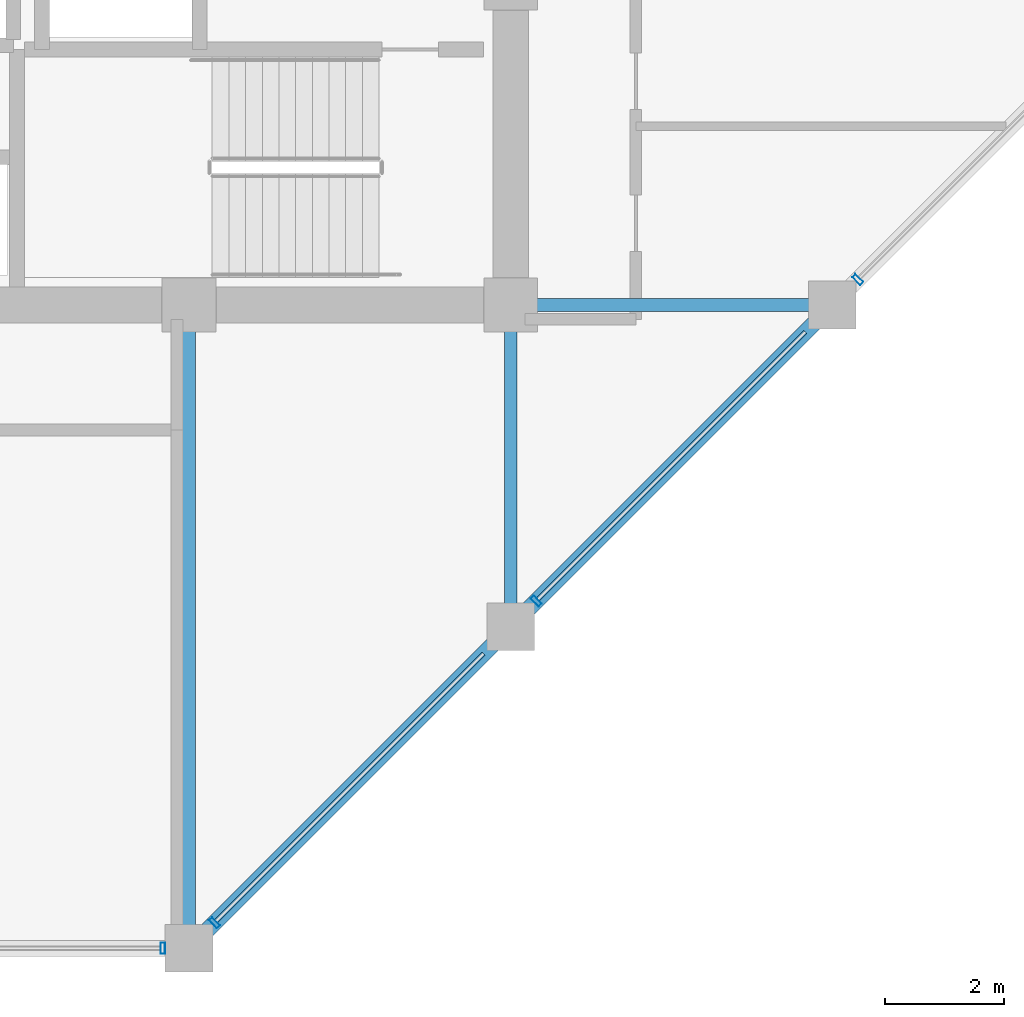
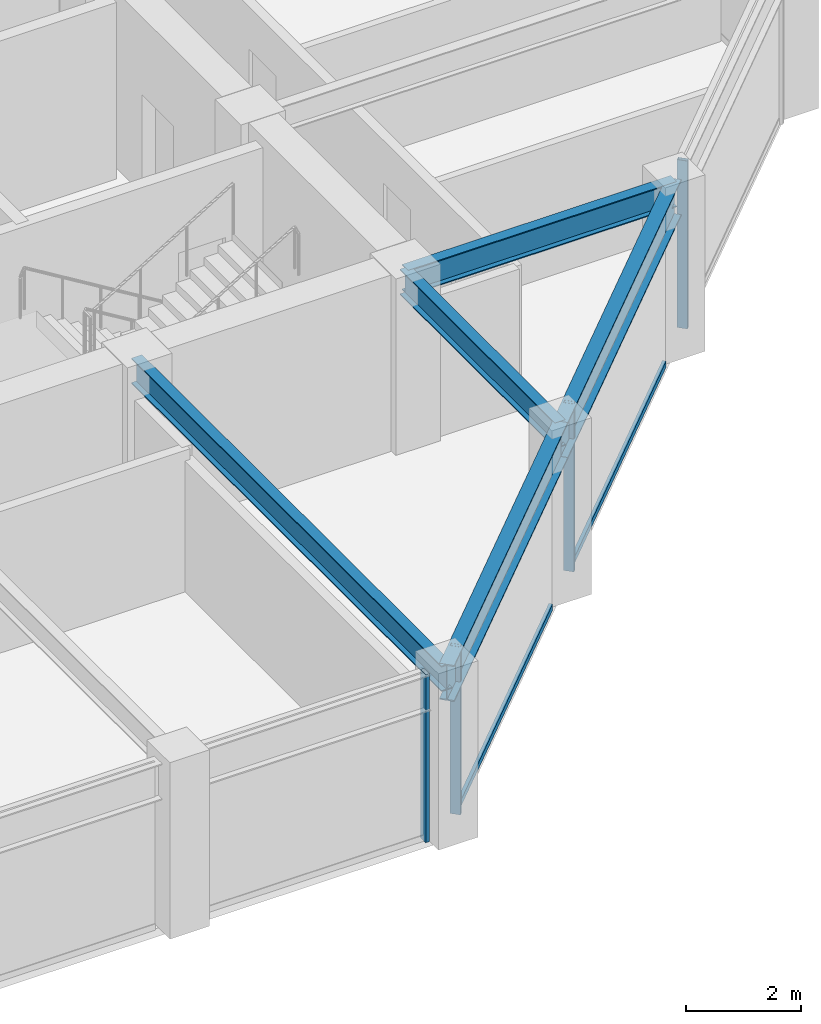
# One storey, part 10 of 30: 6 members, 5 beams, 2 elements without a shape of their own.
"""IFC4 building model written with IfcOpenShell, lengths in metres."""

from ifc_helpers import new_model, si_unit, direction, frame, origin, origin_2d, place, context, subcontext, project, spatial, hollow_rectangle, i_section, extrude, material, layer, layer_set, material_profile, profile_set, type_object, element, aggregate, save


model = new_model("IFC4")

# Units and contexts
model_context = context("Model", 3, precision=1e-05, world=origin(), true_north=direction((0.0, 1.0)))
body_context = subcontext(model_context, "Body", "Model", "MODEL_VIEW")
ifc_project = project(units=[si_unit("LENGTHUNIT", "METRE"), si_unit("AREAUNIT", "SQUARE_METRE"), si_unit("VOLUMEUNIT", "CUBIC_METRE"), si_unit("PLANEANGLEUNIT", "RADIAN"), si_unit("MASSUNIT", "GRAM", prefix="KILO")], contexts=[model_context])

# Site, building, storey
site_placement = place(None, origin())
site = spatial("IfcSite", under=ifc_project, at=site_placement, CompositionType="ELEMENT")
building_placement = place(site_placement, origin())
building = spatial("IfcBuilding", under=site, at=building_placement, Name="Surkhivell Harbour Commons", CompositionType="ELEMENT")
storey_placement = place(building_placement, frame((0.0, 0.0, 231.0)))
storey = spatial("IfcBuildingStorey", under=building, at=storey_placement, Name="L60", CompositionType="ELEMENT", Elevation=231.0)

# Beams
ifc_material_1 = material(Name="Steel S355", Category="steel")
ifc_material_profile_1 = material_profile(ifc_material_1, i_section(OverallWidth=0.2119140625, OverallDepth=0.5439453125, WebThickness=0.0126953125, FlangeThickness=0.021240234375, at=origin_2d()), Name="UB533x210x122")
ifc_profile_set_1 = profile_set([ifc_material_profile_1], Name="Steel S355")
beam_type_1 = type_object("IfcBeamType", Name="BM-GRD-533A", PredefinedType="BEAM", material=ifc_profile_set_1)
beam_1_placement = place(storey_placement, frame((5.39990234375, -21.60009765625, 3.298095703125), z_axis=(0.0, 1.0, 0.0), x_axis=(-1.0, 0.0, 0.0)))
element("IfcBeam", 1, at=beam_1_placement, inside=storey, type_object=beam_type_1, Name="L60 Floor Girder (5.4,-21.6)", PredefinedType="BEAM", context=body_context, shape_type="SweptSolid", body=[
    extrude(i_section(OverallWidth=0.2119140625, OverallDepth=0.5439453125, WebThickness=0.0126953125, FlangeThickness=0.021240234375, at=origin_2d()), origin(), (0.0, 0.0, 1.0), 10.800048828125),
])
for number, where, z_axis, x_axis, name in (
    (2, (10.800048828125, -16.199951171875, 3.298095703125), (0.0, 1.0, 0.0), (-1.0, 0.0, 0.0), "L60 Floor Girder (10.8,-16.2)"),
    (3, (10.800048828125, -10.800048828125, 3.298095703125), (1.0, 0.0, 0.0), (0.0, 1.0, 0.0), "L60 Floor Girder (10.8,-10.8)"),
):
    element("IfcBeam", number, at=place(storey_placement, frame(where, z_axis=z_axis, x_axis=x_axis)), inside=storey, type_object=beam_type_1, Name=name, PredefinedType="BEAM", context=body_context, shape_type="SweptSolid", body=[
        extrude(i_section(OverallWidth=0.2119140625, OverallDepth=0.5439453125, WebThickness=0.0126953125, FlangeThickness=0.021240234375, at=origin_2d()), origin(), (0.0, 0.0, 1.0), 5.39990234375),
    ])
ifc_material_profile_2 = material_profile(ifc_material_1, i_section(OverallWidth=0.26806640625, OverallDepth=0.77001953125, WebThickness=0.015625, FlangeThickness=0.025390625, at=origin_2d()), Name="UB762x267x197")
ifc_profile_set_2 = profile_set([ifc_material_profile_2], Name="Steel S355")
beam_type_2 = type_object("IfcBeamType", Name="BM-SPN-762", PredefinedType="SPANDREL", material=ifc_profile_set_2)
beam_2_placement = place(storey_placement, frame((5.39990234375, -21.60009765625, 3.18505859375), z_axis=(0.707106781187, 0.707106781187, 0.0), x_axis=(-0.707106781187, 0.707106781187, 0.0)))
element("IfcBeam", 4, at=beam_2_placement, inside=storey, type_object=beam_type_2, Name="L60 Tube Spandrel (5.4,-21.6)", PredefinedType="SPANDREL", context=body_context, shape_type="SweptSolid", body=[
    extrude(i_section(OverallWidth=0.26806640625, OverallDepth=0.77001953125, WebThickness=0.015625, FlangeThickness=0.025390625, at=origin_2d()), origin(), (0.0, 0.0, 1.0), 7.636962890625),
])
beam_3_placement = place(storey_placement, frame((10.800048828125, -16.199951171875, 3.18505859375), z_axis=(0.707106781187, 0.707106781187, 0.0), x_axis=(-0.707106781187, 0.707106781187, 0.0)))
element("IfcBeam", 5, at=beam_3_placement, inside=storey, type_object=beam_type_2, Name="L60 Tube Spandrel (10.8,-16.2)", PredefinedType="SPANDREL", context=body_context, shape_type="SweptSolid", body=[
    extrude(i_section(OverallWidth=0.26806640625, OverallDepth=0.77001953125, WebThickness=0.015625, FlangeThickness=0.025390625, at=origin_2d()), origin(), (0.0, 0.0, 1.0), 7.63671875),
])

# Curtain wall, member
ifc_material_2 = material(Name="Anodised pale-metal aluminium and insulated glazing", Category="aluminium")
ifc_layer = layer(ifc_material_2, 0.18994140625)
ifc_layer_set = layer_set([ifc_layer], Name="Anodised pale-metal aluminium and insulated glazing")
curtain_wall_type = type_object("IfcCurtainWallType", Name="CW-SYS-Z3", PredefinedType="NOTDEFINED", material=ifc_layer_set)
curtain_wall_1_placement = place(storey_placement, origin())
curtain_wall_1 = element("IfcCurtainWall", 6, at=curtain_wall_1_placement, inside=storey, type_object=curtain_wall_type, Name="L60 Curtain Wall CW-L60-E00S2", PredefinedType="NOTDEFINED")
ifc_material_3 = material(Name="Anodised pale-metal aluminium alloy 6063-T6", Category="aluminium")
ifc_material_profile_3 = material_profile(ifc_material_3, hollow_rectangle(XDim=0.074951171875, YDim=0.18994140625, WallThickness=0.00390625, at=origin_2d()), Name="ALU-MULL-75x190")
ifc_profile_set_3 = profile_set([ifc_material_profile_3], Name="Anodised pale-metal aluminium alloy 6063-T6")
member_type_1 = type_object("IfcMemberType", Name="CWM-190", PredefinedType="MULLION", material=ifc_profile_set_3)
member_1_placement = place(storey_placement, frame((4.96044921875, -21.60009765625, 0.0), z_axis=(0.0, 0.0, 1.0), x_axis=(1.0, 0.0, 0.0)))
member_1 = element("IfcMember", 7, at=member_1_placement, type_object=member_type_1, Name="CW-Z3 mullion 3", PredefinedType="MULLION", context=body_context, shape_type="SweptSolid", body=[
    extrude(hollow_rectangle(XDim=0.074951171875, YDim=0.18994140625, WallThickness=0.00390625, at=origin_2d()), origin(), (0.0, 0.0, 1.0), 3.570068359375),
])
aggregate(curtain_wall_1, [member_1])

# Curtain wall, members
curtain_wall_2_placement = place(storey_placement, origin())
curtain_wall_2 = element("IfcCurtainWall", 8, at=curtain_wall_2_placement, inside=storey, type_object=curtain_wall_type, Name="L60 Curtain Wall CW-L60-E01", PredefinedType="NOTDEFINED")
member_2_placement = place(storey_placement, frame((5.828125, -21.171875, 0.0), z_axis=(0.0, 0.0, 1.0), x_axis=(0.707106781187, 0.707106781187, 0.0)))
member_2 = element("IfcMember", 9, at=member_2_placement, type_object=member_type_1, Name="CW-Z3 mullion 1", PredefinedType="MULLION", context=body_context, shape_type="SweptSolid", body=[
    extrude(hollow_rectangle(XDim=0.074951171875, YDim=0.18994140625, WallThickness=0.00390625, at=origin_2d()), origin(), (0.0, 0.0, 1.0), 3.570068359375),
])
member_3_placement = place(storey_placement, frame((11.228271484375, -15.771728515625, 0.0), z_axis=(0.0, 0.0, 1.0), x_axis=(0.707106781187, 0.707106781187, 0.0)))
member_3 = element("IfcMember", 10, at=member_3_placement, type_object=member_type_1, Name="CW-Z3 mullion 2", PredefinedType="MULLION", context=body_context, shape_type="SweptSolid", body=[
    extrude(hollow_rectangle(XDim=0.074951171875, YDim=0.18994140625, WallThickness=0.00390625, at=origin_2d()), origin(), (0.0, 0.0, 1.0), 3.570068359375),
])
member_4_placement = place(storey_placement, frame((16.628173828125, -10.371826171875, 0.0), z_axis=(0.0, 0.0, 1.0), x_axis=(0.707106781187, 0.707106781187, 0.0)))
member_4 = element("IfcMember", 11, at=member_4_placement, type_object=member_type_1, Name="CW-Z3 mullion 3", PredefinedType="MULLION", context=body_context, shape_type="SweptSolid", body=[
    extrude(hollow_rectangle(XDim=0.074951171875, YDim=0.18994140625, WallThickness=0.00390625, at=origin_2d()), origin(), (0.0, 0.0, 1.0), 3.570068359375),
])
ifc_material_4 = material(Name="Champagne anodised aluminium alloy 6063-T6", Category="aluminium")
ifc_material_profile_4 = material_profile(ifc_material_4, hollow_rectangle(XDim=0.070068359375, YDim=0.1298828125, WallThickness=0.00341796875, at=origin_2d()), Name="ALU-TRAN-70x130")
ifc_profile_set_4 = profile_set([ifc_material_profile_4], Name="Champagne anodised aluminium alloy 6063-T6")
member_type_2 = type_object("IfcMemberType", Name="CWT-130", PredefinedType="USERDEFINED", material=ifc_profile_set_4)
member_5_placement = place(storey_placement, frame((5.854736328125, -21.145263671875, 0.06494140625), z_axis=(0.707106781187, 0.707106781187, 0.0), x_axis=(-0.707106781187, 0.707106781187, 0.0)))
member_5 = element("IfcMember", 12, at=member_5_placement, type_object=member_type_2, Name="CW-Z3 transom 1.1", ObjectType="TRANSOM", PredefinedType="USERDEFINED", context=body_context, shape_type="SweptSolid", body=[
    extrude(hollow_rectangle(XDim=0.070068359375, YDim=0.1298828125, WallThickness=0.00341796875, at=origin_2d()), origin(), (0.0, 0.0, 1.0), 6.3505859375),
])
member_6_placement = place(storey_placement, frame((11.254638671875, -15.745361328125, 0.06494140625), z_axis=(0.707106781187, 0.707106781187, 0.0), x_axis=(-0.707106781187, 0.707106781187, 0.0)))
member_6 = element("IfcMember", 13, at=member_6_placement, type_object=member_type_2, Name="CW-Z3 transom 2.1", ObjectType="TRANSOM", PredefinedType="USERDEFINED", context=body_context, shape_type="SweptSolid", body=[
    extrude(hollow_rectangle(XDim=0.070068359375, YDim=0.1298828125, WallThickness=0.00341796875, at=origin_2d()), origin(), (0.0, 0.0, 1.0), 6.350830078125),
])
aggregate(curtain_wall_2, [member_2, member_5, member_3, member_6, member_4])

save(model, "model.ifc")
